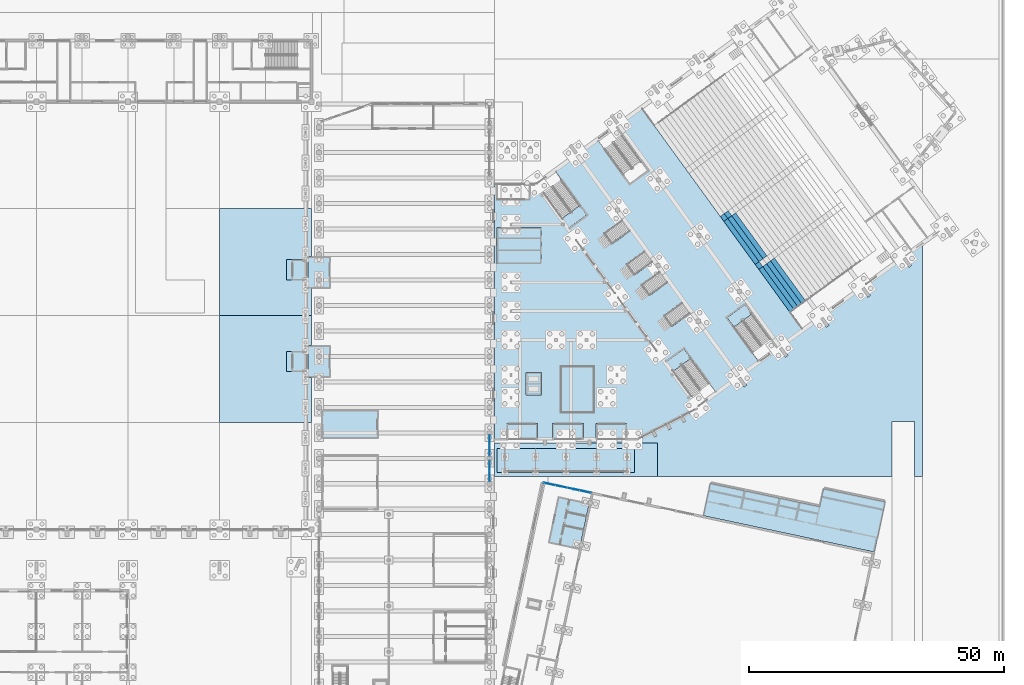
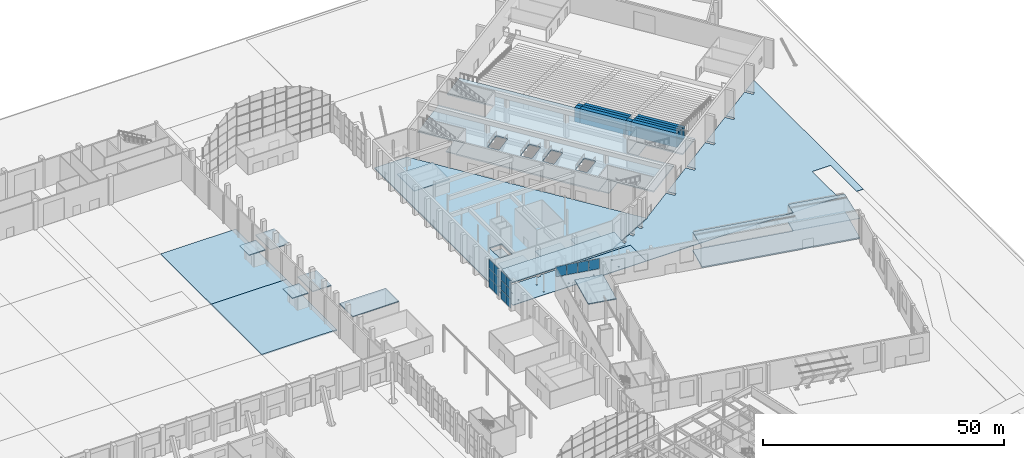
# One storey, part 157 of 239: 33 slabs, 16 plates, 6 elements without a shape of their own.
"""IFC4 building model written with IfcOpenShell, lengths in metres."""

import ifcopenshell
import ifcopenshell.guid

model = None  # the IFC model being written
_history = None  # IfcOwnerHistory: only IFC2X3 demands one
_inside = {}  # id of a spatial element -> (the spatial element, [elements in it])
_under = {}  # id of a project, library or spatial element -> (it, [spatial elements below it])
_declared = {}  # id of a project -> (the project, [libraries it declares])
_typed = {}  # id of a type object -> (the type object, [elements of that type])
_made_of = {}  # id of a material, layer set ... -> (it, [elements and type objects made of it])


def new_model(schema):
    """Start an empty IFC model of exactly this schema.

    Asked for "IFC4X3", IfcOpenShell would pick the latest addendum, in which some entities
    have other attributes; the version numbers below select the first issue.
    IFC2X3 requires an IfcOwnerHistory on every rooted entity: one is made here for all.
    """
    global model, _history
    if schema == "IFC4X3":
        model = ifcopenshell.file(schema_version=(4, 3, 0, 0))
    else:
        model = ifcopenshell.file(schema=schema)
    _inside.clear()
    _under.clear()
    _declared.clear()
    _typed.clear()
    _made_of.clear()
    _history = None
    if model.schema == "IFC2X3":
        org = make("IfcOrganization", Name="unknown")
        user = make(
            "IfcPersonAndOrganization",
            ThePerson=make("IfcPerson", FamilyName="unknown"),
            TheOrganization=org,
        )
        app = make(
            "IfcApplication",
            ApplicationDeveloper=org,
            Version="unknown",
            ApplicationFullName="unknown",
            ApplicationIdentifier="unknown",
        )
        _history = make(
            "IfcOwnerHistory",
            OwningUser=user,
            OwningApplication=app,
            ChangeAction="ADDED",
            CreationDate=0,
        )
    return model


def make(cls, **values):
    """One entity of the class cls with the attributes given. An attribute that is None is left unset."""
    return model.create_entity(
        cls, **{name: value for name, value in values.items() if value is not None}
    )


def rooted(cls, **values):
    """An entity with a GlobalId (a new one), such as an element, a storey or a relation."""
    return make(cls, GlobalId=ifcopenshell.guid.new(), OwnerHistory=_history, **values)


def si_unit(unit_type, name, prefix=None):
    """IfcSIUnit, for example si_unit("LENGTHUNIT", "METRE", prefix="MILLI")."""
    return make("IfcSIUnit", UnitType=unit_type, Prefix=prefix, Name=name)


def assignment(units):
    """IfcUnitAssignment: the units of a project."""
    return None if units is None else make("IfcUnitAssignment", Units=units)


def point(xyz):
    """IfcCartesianPoint."""
    return None if xyz is None else make("IfcCartesianPoint", Coordinates=xyz)


def direction(xyz):
    """IfcDirection."""
    return None if xyz is None else make("IfcDirection", DirectionRatios=xyz)


def frame(location, z_axis=None, x_axis=None):
    """IfcAxis2Placement3D, a coordinate frame: its origin and axes. An axis left out is left unset."""
    return make(
        "IfcAxis2Placement3D",
        Location=point(location),
        Axis=direction(z_axis),
        RefDirection=direction(x_axis),
    )


def frame_2d(location, x_axis=None):
    """IfcAxis2Placement2D, a coordinate frame in the plane: its origin and x axis."""
    return make(
        "IfcAxis2Placement2D", Location=point(location), RefDirection=direction(x_axis)
    )


def origin():
    """The frame at (0, 0, 0) with its axes left unset."""
    return frame((0.0, 0.0, 0.0))


def origin_2d():
    """The frame at (0, 0) in the plane with its x axis left unset."""
    return frame_2d((0.0, 0.0))


def place(relative_to, where):
    """IfcLocalPlacement: puts the frame where relative to a parent placement (None: the world)."""
    return make(
        "IfcLocalPlacement", PlacementRelTo=relative_to, RelativePlacement=where
    )


def context(
    kind, dimensions, precision=None, world=None, true_north=None, identifier=None
):
    """IfcGeometricRepresentationContext, for example the 3D "Model" context."""
    return make(
        "IfcGeometricRepresentationContext",
        ContextIdentifier=identifier,
        ContextType=kind,
        CoordinateSpaceDimension=dimensions,
        Precision=precision,
        WorldCoordinateSystem=world,
        TrueNorth=true_north,
    )


def subcontext(parent, identifier, kind, view, scale=None):
    """IfcGeometricRepresentationSubContext, for example "Body" below "Model"."""
    return make(
        "IfcGeometricRepresentationSubContext",
        ContextIdentifier=identifier,
        ContextType=kind,
        ParentContext=parent,
        TargetScale=scale,
        TargetView=view,
    )


def project(units=None, contexts=None):
    """IfcProject with its units and contexts."""
    return rooted(
        "IfcProject",
        Name="project",
        RepresentationContexts=contexts,
        UnitsInContext=assignment(units),
    )


def spatial(cls, under=None, at=None, **own):
    """A site, building, storey or space (cls), placed at a placement, below another one or the project."""
    s = rooted(cls, ObjectPlacement=at, **own)
    if under is not None:
        _under.setdefault(under.id(), (under, []))[1].append(s)
    return s


def polyline(points):
    """IfcPolyline through the points."""
    return make("IfcPolyline", Points=[point(p) for p in points])


def profile(cls, at=None, kind="AREA", **sizes):
    """A parametric profile (cls). Its sizes go by their IFC names, for example OverallWidth=200.0."""
    return make(cls, ProfileType=kind, Position=at, **sizes)


def rectangle(**sizes):
    """IfcRectangleProfileDef."""
    return profile("IfcRectangleProfileDef", **sizes)


def outline(outer, holes=None, kind="AREA"):
    """IfcArbitraryClosedProfileDef: a profile drawn as a closed curve; with holes, ...WithVoids."""
    if holes is None:
        return make("IfcArbitraryClosedProfileDef", ProfileType=kind, OuterCurve=outer)
    return make(
        "IfcArbitraryProfileDefWithVoids",
        ProfileType=kind,
        OuterCurve=outer,
        InnerCurves=holes,
    )


def extrude(swept, where, along, depth):
    """IfcExtrudedAreaSolid: the profile swept, set in the frame where, extruded along a direction by depth."""
    return make(
        "IfcExtrudedAreaSolid",
        SweptArea=swept,
        Position=where,
        ExtrudedDirection=direction(along),
        Depth=depth,
    )


def shape(context_of_items, identifier, shape_type, items):
    """IfcShapeRepresentation: the items that make up one representation, for example the "Body"."""
    return make(
        "IfcShapeRepresentation",
        ContextOfItems=context_of_items,
        RepresentationIdentifier=identifier,
        RepresentationType=shape_type,
        Items=items,
    )


def material(Name=None, Category=None):
    """IfcMaterial."""
    return make("IfcMaterial", Name=Name, Category=Category)


def layer(
    of_material, thickness, ventilated=None, Name=None, Category=None, Priority=None
):
    """IfcMaterialLayer: one layer of a wall or slab, of a material (None: an air gap)."""
    return make(
        "IfcMaterialLayer",
        Material=of_material,
        LayerThickness=thickness,
        IsVentilated=ventilated,
        Name=Name,
        Category=Category,
        Priority=Priority,
    )


def layer_set(layers, Name=None):
    """IfcMaterialLayerSet."""
    return make("IfcMaterialLayerSet", MaterialLayers=layers, LayerSetName=Name)


def made_of(thing, what):
    """Note that an element or type object is made of a material, layer set ...; save() writes the relation."""
    if what is not None:
        _made_of.setdefault(what.id(), (what, []))[1].append(thing)
    return thing


def type_object(cls, material=None, **own):
    """A type object (cls), such as IfcWallType, which elements share."""
    return made_of(rooted(cls, **own), material)


def element(
    cls,
    number,
    at=None,
    inside=None,
    cuts=None,
    type_object=None,
    material=None,
    context=None,
    identifier="Body",
    shape_type=None,
    held_by="IfcProductDefinitionShape",
    body=None,
    shapes=None,
    **own,
):
    """One element of the class cls, such as IfcWall. Its Tag is "e" and its number.

    at: its placement. inside: the storey or other place that contains it. cuts: it is an
    opening in that element (IfcRelVoidsElement). A single representation is given by context,
    identifier, shape_type and body (its items); several are given by shapes. held_by: the class
    of the entity that holds the representations. save() writes the other relations.
    """
    e = rooted(cls, Tag="e%d" % number, ObjectPlacement=at, **own)
    if body is not None:
        shapes = [shape(context, identifier, shape_type, body)]
    if shapes is not None:
        e.Representation = make(held_by, Representations=shapes)
    if inside is not None:
        _inside.setdefault(inside.id(), (inside, []))[1].append(e)
    if cuts is not None:
        rooted(
            "IfcRelVoidsElement", RelatingBuildingElement=cuts, RelatedOpeningElement=e
        )
    if type_object is not None:
        _typed.setdefault(type_object.id(), (type_object, []))[1].append(e)
    return made_of(e, material)


def aggregate(whole, parts):
    """IfcRelAggregates: a whole, such as a stair, and the parts it consists of."""
    return rooted("IfcRelAggregates", RelatingObject=whole, RelatedObjects=parts)


def save(model, path):
    """Write the relations noted so far, then the file.

    IfcRelAggregates (storeys below a building ...), IfcRelContainedInSpatialStructure (elements
    in a storey), IfcRelDefinesByType, IfcRelAssociatesMaterial and IfcRelDeclares: one each for
    every whole, place, type object, material and project.
    """
    for whole, parts in _under.values():
        aggregate(whole, parts)
    for where, things in _inside.values():
        rooted(
            "IfcRelContainedInSpatialStructure",
            RelatedElements=things,
            RelatingStructure=where,
        )
    for kind, things in _typed.values():
        rooted("IfcRelDefinesByType", RelatedObjects=things, RelatingType=kind)
    for what, things in _made_of.values():
        rooted("IfcRelAssociatesMaterial", RelatedObjects=things, RelatingMaterial=what)
    for by, libraries in _declared.values():
        rooted("IfcRelDeclares", RelatingContext=by, RelatedDefinitions=libraries)
    model.write(path)


model = new_model("IFC4")

# Units and contexts
model_context = context("Model", 3, precision=1e-05, world=origin(), true_north=direction((0.0, 1.0)))
body_context = subcontext(model_context, "Body", "Model", "MODEL_VIEW")
ifc_project = project(units=[si_unit("LENGTHUNIT", "METRE"), si_unit("AREAUNIT", "SQUARE_METRE"), si_unit("VOLUMEUNIT", "CUBIC_METRE"), si_unit("PLANEANGLEUNIT", "RADIAN"), si_unit("MASSUNIT", "GRAM", prefix="KILO")], contexts=[model_context])

# Site, building, storey
site_placement = place(None, origin())
site = spatial("IfcSite", under=ifc_project, at=site_placement, CompositionType="ELEMENT")
building_placement = place(site_placement, origin())
building = spatial("IfcBuilding", under=site, at=building_placement, Name="Okhra Congress Centre", CompositionType="ELEMENT")
storey_placement = place(building_placement, origin())
storey = spatial("IfcBuildingStorey", under=building, at=storey_placement, Name="L00", CompositionType="ELEMENT", Elevation=0.0)

# Curtain wall, plates
ifc_material_1 = material(Name="Aluminium curtain wall, triple glazing", Category="aluminium")
curtain_wall_type_1 = type_object("IfcCurtainWallType", Name="Curtain wall 2100 module", PredefinedType="NOTDEFINED", material=ifc_material_1)
curtain_wall_1_placement = place(storey_placement, origin())
curtain_wall_1 = element("IfcCurtainWall", 1, at=curtain_wall_1_placement, inside=storey, type_object=curtain_wall_type_1, Name="East bay 5 glazing", PredefinedType="NOTDEFINED")
ifc_material_2 = material(Name="Triple glazing unit, low-e coating, argon fill", Category="glass")
ifc_layer_1 = layer(ifc_material_2, 0.028076171875)
ifc_layer_set_1 = layer_set([ifc_layer_1], Name="Curtain wall glazing unit 28")
plate_type = type_object("IfcPlateType", Name="Curtain wall glazing unit 28", PredefinedType="CURTAIN_PANEL", material=ifc_layer_set_1)
plate_1_placement = place(storey_placement, frame((189.0, 142.465087890625, 0.06005859375), z_axis=(0.0, 0.0, 1.0), x_axis=(0.0, 1.0, 0.0)))
plate_1 = element("IfcPlate", 2, at=plate_1_placement, type_object=plate_type, Name="CW4 panel 1.1", PredefinedType="CURTAIN_PANEL", context=body_context, shape_type="SweptSolid", body=[
    extrude(rectangle(XDim=2.010009765625, YDim=0.028076171875, at=origin_2d()), origin(), (0.0, 0.0, 1.0), 2.31005859375),
])
plate_2_placement = place(storey_placement, frame((189.0, 142.465087890625, 2.43017578125), z_axis=(0.0, 0.0, 1.0), x_axis=(0.0, 1.0, 0.0)))
plate_2 = element("IfcPlate", 3, at=plate_2_placement, type_object=plate_type, Name="CW4 panel 1.2", PredefinedType="CURTAIN_PANEL", context=body_context, shape_type="SweptSolid", body=[
    extrude(rectangle(XDim=2.010009765625, YDim=0.028076171875, at=origin_2d()), origin(), (0.0, 0.0, 1.0), 2.340087890625),
])
plate_3_placement = place(storey_placement, frame((189.0, 142.465087890625, 4.830078125), z_axis=(0.0, 0.0, 1.0), x_axis=(0.0, 1.0, 0.0)))
plate_3 = element("IfcPlate", 4, at=plate_3_placement, type_object=plate_type, Name="CW4 panel 1.3", PredefinedType="CURTAIN_PANEL", context=body_context, shape_type="SweptSolid", body=[
    extrude(rectangle(XDim=2.010009765625, YDim=0.028076171875, at=origin_2d()), origin(), (0.0, 0.0, 1.0), 2.31005859375),
])
plate_4_placement = place(storey_placement, frame((189.0, 144.534912109375, 0.06005859375), z_axis=(0.0, 0.0, 1.0), x_axis=(0.0, 1.0, 0.0)))
plate_4 = element("IfcPlate", 5, at=plate_4_placement, type_object=plate_type, Name="CW4 panel 2.1", PredefinedType="CURTAIN_PANEL", context=body_context, shape_type="SweptSolid", body=[
    extrude(rectangle(XDim=2.010009765625, YDim=0.028076171875, at=origin_2d()), origin(), (0.0, 0.0, 1.0), 2.31005859375),
])
plate_5_placement = place(storey_placement, frame((189.0, 144.534912109375, 2.43017578125), z_axis=(0.0, 0.0, 1.0), x_axis=(0.0, 1.0, 0.0)))
plate_5 = element("IfcPlate", 6, at=plate_5_placement, type_object=plate_type, Name="CW4 panel 2.2", PredefinedType="CURTAIN_PANEL", context=body_context, shape_type="SweptSolid", body=[
    extrude(rectangle(XDim=2.010009765625, YDim=0.028076171875, at=origin_2d()), origin(), (0.0, 0.0, 1.0), 2.340087890625),
])
plate_6_placement = place(storey_placement, frame((189.0, 144.534912109375, 4.830078125), z_axis=(0.0, 0.0, 1.0), x_axis=(0.0, 1.0, 0.0)))
plate_6 = element("IfcPlate", 7, at=plate_6_placement, type_object=plate_type, Name="CW4 panel 2.3", PredefinedType="CURTAIN_PANEL", context=body_context, shape_type="SweptSolid", body=[
    extrude(rectangle(XDim=2.010009765625, YDim=0.028076171875, at=origin_2d()), origin(), (0.0, 0.0, 1.0), 2.31005859375),
])
aggregate(curtain_wall_1, [plate_1, plate_2, plate_3, plate_4, plate_5, plate_6])

curtain_wall_2_placement = place(storey_placement, origin())
curtain_wall_2 = element("IfcCurtainWall", 8, at=curtain_wall_2_placement, inside=storey, type_object=curtain_wall_type_1, Name="East bay 6 glazing", PredefinedType="NOTDEFINED")
plate_7_placement = place(storey_placement, frame((189.0, 147.465087890625, 0.06005859375), z_axis=(0.0, 0.0, 1.0), x_axis=(0.0, 1.0, 0.0)))
plate_7 = element("IfcPlate", 9, at=plate_7_placement, type_object=plate_type, Name="CW4 panel 1.1", PredefinedType="CURTAIN_PANEL", context=body_context, shape_type="SweptSolid", body=[
    extrude(rectangle(XDim=2.010009765625, YDim=0.028076171875, at=origin_2d()), origin(), (0.0, 0.0, 1.0), 2.31005859375),
])
plate_8_placement = place(storey_placement, frame((189.0, 147.465087890625, 2.43017578125), z_axis=(0.0, 0.0, 1.0), x_axis=(0.0, 1.0, 0.0)))
plate_8 = element("IfcPlate", 10, at=plate_8_placement, type_object=plate_type, Name="CW4 panel 1.2", PredefinedType="CURTAIN_PANEL", context=body_context, shape_type="SweptSolid", body=[
    extrude(rectangle(XDim=2.010009765625, YDim=0.028076171875, at=origin_2d()), origin(), (0.0, 0.0, 1.0), 2.340087890625),
])
plate_9_placement = place(storey_placement, frame((189.0, 147.465087890625, 4.830078125), z_axis=(0.0, 0.0, 1.0), x_axis=(0.0, 1.0, 0.0)))
plate_9 = element("IfcPlate", 11, at=plate_9_placement, type_object=plate_type, Name="CW4 panel 1.3", PredefinedType="CURTAIN_PANEL", context=body_context, shape_type="SweptSolid", body=[
    extrude(rectangle(XDim=2.010009765625, YDim=0.028076171875, at=origin_2d()), origin(), (0.0, 0.0, 1.0), 2.31005859375),
])
plate_10_placement = place(storey_placement, frame((189.0, 149.534912109375, 0.06005859375), z_axis=(0.0, 0.0, 1.0), x_axis=(0.0, 1.0, 0.0)))
plate_10 = element("IfcPlate", 12, at=plate_10_placement, type_object=plate_type, Name="CW4 panel 2.1", PredefinedType="CURTAIN_PANEL", context=body_context, shape_type="SweptSolid", body=[
    extrude(rectangle(XDim=2.010009765625, YDim=0.028076171875, at=origin_2d()), origin(), (0.0, 0.0, 1.0), 2.31005859375),
])
plate_11_placement = place(storey_placement, frame((189.0, 149.534912109375, 2.43017578125), z_axis=(0.0, 0.0, 1.0), x_axis=(0.0, 1.0, 0.0)))
plate_11 = element("IfcPlate", 13, at=plate_11_placement, type_object=plate_type, Name="CW4 panel 2.2", PredefinedType="CURTAIN_PANEL", context=body_context, shape_type="SweptSolid", body=[
    extrude(rectangle(XDim=2.010009765625, YDim=0.028076171875, at=origin_2d()), origin(), (0.0, 0.0, 1.0), 2.340087890625),
])
plate_12_placement = place(storey_placement, frame((189.0, 149.534912109375, 4.830078125), z_axis=(0.0, 0.0, 1.0), x_axis=(0.0, 1.0, 0.0)))
plate_12 = element("IfcPlate", 14, at=plate_12_placement, type_object=plate_type, Name="CW4 panel 2.3", PredefinedType="CURTAIN_PANEL", context=body_context, shape_type="SweptSolid", body=[
    extrude(rectangle(XDim=2.010009765625, YDim=0.028076171875, at=origin_2d()), origin(), (0.0, 0.0, 1.0), 2.31005859375),
])
aggregate(curtain_wall_2, [plate_7, plate_8, plate_9, plate_10, plate_11, plate_12])

curtain_wall_type_2 = type_object("IfcCurtainWallType", Name="Curtain wall 2400 module", PredefinedType="NOTDEFINED", material=ifc_material_1)
curtain_wall_3_placement = place(storey_placement, origin())
curtain_wall_3 = element("IfcCurtainWall", 15, at=curtain_wall_3_placement, inside=storey, type_object=curtain_wall_type_2, Name="Foyer north glazing above the doors", PredefinedType="NOTDEFINED")
plate_13_placement = place(storey_placement, frame((200.7939453125, 140.937744140625, 4.56005859375), z_axis=(0.0, 0.0, 1.0), x_axis=(0.978147600734, -0.207911690818, 0.0)))
plate_13 = element("IfcPlate", 16, at=plate_13_placement, type_object=plate_type, Name="CW6 panel 1.1", PredefinedType="CURTAIN_PANEL", context=body_context, shape_type="SweptSolid", body=[
    extrude(rectangle(XDim=2.31005859375, YDim=0.028076171875, at=origin_2d()), origin(), (0.0, 0.0, 1.0), 2.580078125),
])
plate_14_placement = place(storey_placement, frame((203.126953125, 140.44189453125, 4.56005859375), z_axis=(0.0, 0.0, 1.0), x_axis=(0.978147600734, -0.207911690818, 0.0)))
plate_14 = element("IfcPlate", 17, at=plate_14_placement, type_object=plate_type, Name="CW6 panel 2.1", PredefinedType="CURTAIN_PANEL", context=body_context, shape_type="SweptSolid", body=[
    extrude(rectangle(XDim=2.340087890625, YDim=0.028076171875, at=origin_2d()), origin(), (0.0, 0.0, 1.0), 2.580078125),
])
plate_15_placement = place(storey_placement, frame((205.474365234375, 139.94287109375, 4.56005859375), z_axis=(0.0, 0.0, 1.0), x_axis=(0.978147600734, -0.207911690818, 0.0)))
plate_15 = element("IfcPlate", 18, at=plate_15_placement, type_object=plate_type, Name="CW6 panel 3.1", PredefinedType="CURTAIN_PANEL", context=body_context, shape_type="SweptSolid", body=[
    extrude(rectangle(XDim=2.340087890625, YDim=0.028076171875, at=origin_2d()), origin(), (0.0, 0.0, 1.0), 2.580078125),
])
plate_16_placement = place(storey_placement, frame((207.807373046875, 139.447021484375, 4.56005859375), z_axis=(0.0, 0.0, 1.0), x_axis=(0.978147600734, -0.207911690818, 0.0)))
plate_16 = element("IfcPlate", 19, at=plate_16_placement, type_object=plate_type, Name="CW6 panel 4.1", PredefinedType="CURTAIN_PANEL", context=body_context, shape_type="SweptSolid", body=[
    extrude(rectangle(XDim=2.31005859375, YDim=0.028076171875, at=origin_2d()), origin(), (0.0, 0.0, 1.0), 2.580078125),
])
aggregate(curtain_wall_3, [plate_13, plate_14, plate_15, plate_16])

# Slabs
ifc_material_3 = material(Name="Insulated metal roof panel (mineral wool core), standing seam")
ifc_layer_2 = layer(ifc_material_3, 0.14990234375)
ifc_layer_set_2 = layer_set([ifc_layer_2], Name="Insulated roof panel 150")
slab_type_1 = type_object("IfcSlabType", Name="Insulated roof panel 150", PredefinedType="ROOF", material=ifc_layer_set_2)
slab_1_placement = place(storey_placement, frame((190.5, 143.199951171875, 5.10009765625), z_axis=(0.0, -0.105787141313, 0.99438879757), x_axis=(1.0, 0.0, 0.0)))
element("IfcSlab", 20, at=slab_1_placement, inside=storey, type_object=slab_type_1, Name="Drop-off canopy roof panel", PredefinedType="ROOF", context=body_context, shape_type="SweptSolid", body=[
    extrude(outline(polyline([(0.0, 0.0), (27.0, 0.0), (27.0, 4.72647236509526), (0.0, 4.72647236509526), (0.0, 0.0)])), origin(), (0.0, 0.0, -1.0), 0.14990234375),
])
slab_2_placement = place(storey_placement, frame((230.94775390625, 134.73291015625, 4.89990234375), z_axis=(0.011606565966, 0.054592393295, 0.998441264282), x_axis=(0.978148140413, -0.207909151793, -2.68692e-06)))
element("IfcSlab", 21, at=slab_2_placement, inside=storey, type_object=slab_type_1, Name="Catering annex roof panel", PredefinedType="ROOF", context=body_context, shape_type="SweptSolid", body=[
    extrude(outline(polyline([(0.0, 0.0), (34.40014353175373, 1.7763568394002505e-15), (34.4001470823461, 10.11562554741022), (22.00002540099979, 10.115654170014247), (22.000183464778715, 6.510152736823353), (0.00016161437129575022, 6.510124114219326), (0.0, 0.0)])), origin(), (0.0, 0.0, -1.0), 0.14990234375),
])
ifc_material_4 = material(Name="Concrete C30/37", Category="concrete")
ifc_layer_3 = layer(ifc_material_4, 0.14990234375)
ifc_layer_set_3 = layer_set([ifc_layer_3], Name="Paving slab 150 C30/37")
slab_type_2 = type_object("IfcSlabType", Name="Paving slab 150 C30/37", PredefinedType="BASESLAB", material=ifc_layer_set_3)
slab_3_placement = place(storey_placement, frame((0.0, 0.0, -0.14990234375)))
element("IfcSlab", 22, at=slab_3_placement, inside=storey, type_object=slab_type_2, Name="Drop-off Lay-by paving", PredefinedType="BASESLAB", context=body_context, shape_type="SweptSolid", body=[
    extrude(outline(polyline([(199.590087890625, 148.570068359375), (199.590087890625, 149.0), (190.010009765625, 149.0), (190.010009765625, 142.39990234375), (222.0, 142.39990234375), (222.0, 149.0), (208.9599609375, 149.0), (208.9599609375, 148.570068359375), (208.340087890625, 148.570068359375), (208.340087890625, 149.0), (200.2099609375, 149.0), (200.2099609375, 148.570068359375), (199.590087890625, 148.570068359375)]), holes=[polyline([(216.132080078125, 143.5322265625), (215.867919921875, 143.5322265625), (215.867919921875, 143.267822265625), (216.132080078125, 143.267822265625), (216.132080078125, 143.5322265625)]), polyline([(216.132080078125, 146.432373046875), (215.867919921875, 146.432373046875), (215.867919921875, 146.167724609375), (216.132080078125, 146.167724609375), (216.132080078125, 146.432373046875)]), polyline([(210.132080078125, 143.5322265625), (209.867919921875, 143.5322265625), (209.867919921875, 143.267822265625), (210.132080078125, 143.267822265625), (210.132080078125, 143.5322265625)]), polyline([(210.132080078125, 146.432373046875), (209.867919921875, 146.432373046875), (209.867919921875, 146.167724609375), (210.132080078125, 146.167724609375), (210.132080078125, 146.432373046875)]), polyline([(204.132080078125, 143.5322265625), (203.867919921875, 143.5322265625), (203.867919921875, 143.267822265625), (204.132080078125, 143.267822265625), (204.132080078125, 143.5322265625)]), polyline([(204.132080078125, 146.432373046875), (203.867919921875, 146.432373046875), (203.867919921875, 146.167724609375), (204.132080078125, 146.167724609375), (204.132080078125, 146.432373046875)]), polyline([(198.132080078125, 143.5322265625), (197.867919921875, 143.5322265625), (197.867919921875, 143.267822265625), (198.132080078125, 143.267822265625), (198.132080078125, 143.5322265625)]), polyline([(198.132080078125, 146.432373046875), (197.867919921875, 146.432373046875), (197.867919921875, 146.167724609375), (198.132080078125, 146.167724609375), (198.132080078125, 146.432373046875)]), polyline([(192.132080078125, 143.5322265625), (191.867919921875, 143.5322265625), (191.867919921875, 143.267822265625), (192.132080078125, 143.267822265625), (192.132080078125, 143.5322265625)]), polyline([(192.132080078125, 146.432373046875), (191.867919921875, 146.432373046875), (191.867919921875, 146.167724609375), (192.132080078125, 146.167724609375), (192.132080078125, 146.432373046875)])]), origin(), (0.0, 0.0, 1.0), 0.14990234375),
])
slab_4_placement = place(storey_placement, frame((0.0, 0.0, -0.14990234375)))
element("IfcSlab", 23, at=slab_4_placement, inside=storey, type_object=slab_type_2, Name="Entrance Forecourt 1 paving", PredefinedType="BASESLAB", context=body_context, shape_type="SweptSolid", body=[
    extrude(outline(polyline([(208.9599609375, 149.570068359375), (208.9599609375, 149.0), (222.0, 149.0), (222.0, 142.39990234375), (268.0, 142.39990234375), (268.0, 153.199951171875), (272.39990234375, 153.199951171875), (272.39990234375, 142.39990234375), (274.0, 142.39990234375), (274.0, 187.89306640625), (270.6650390625, 185.469970703125), (271.840576171875, 183.85205078125), (271.3388671875, 183.487548828125), (270.163330078125, 185.105712890625), (262.57470703125, 179.59228515625), (263.75048828125, 177.97412109375), (263.248779296875, 177.609619140625), (262.0732421875, 179.227783203125), (254.484619140625, 173.71435546875), (255.66015625, 172.09619140625), (255.15869140625, 171.731689453125), (253.98291015625, 173.349853515625), (246.39453125, 167.83642578125), (247.570068359375, 166.218505859375), (247.068359375, 165.85400390625), (245.892822265625, 167.471923828125), (238.30419921875, 161.95849609375), (239.47998046875, 160.340576171875), (238.978271484375, 159.97607421875), (237.802734375, 161.59423828125), (229.80908203125, 155.784423828125), (229.877685546875, 155.6513671875), (227.068359375, 154.208251953125), (227.525390625, 153.31884765625), (226.973876953125, 153.035400390625), (226.516845703125, 153.925048828125), (224.24658203125, 152.7587890625), (224.70361328125, 151.869384765625), (224.152099609375, 151.586181640625), (223.6953125, 152.4755859375), (221.425048828125, 151.309326171875), (221.8818359375, 150.419921875), (221.330322265625, 150.13671875), (220.87353515625, 151.026123046875), (218.038818359375, 149.570068359375), (208.9599609375, 149.570068359375)])), origin(), (0.0, 0.0, 1.0), 0.14990234375),
])
ifc_material_5 = material(Name="Precast concrete C40/50", Category="concrete")
slab_type_3 = type_object("IfcSlabType", Name="Precast RC stalls aisle step unit C40/50", PredefinedType="FLOOR", material=ifc_material_5)
slab_5_placement = place(storey_placement, origin())
element("IfcSlab", 24, at=slab_5_placement, inside=storey, type_object=slab_type_3, Name="Stalls aisle step unit 21.4", PredefinedType="FLOOR", context=body_context, shape_type="SweptSolid", body=[
    extrude(outline(polyline([(235.7724609375, 193.072509765625), (236.541015625, 193.631103515625), (235.835693359375, 194.601806640625), (235.067138671875, 194.04345703125), (235.7724609375, 193.072509765625)])), origin(), (0.0, 0.0, 1.0), 3.436279296875),
])
slab_6_placement = place(storey_placement, origin())
element("IfcSlab", 25, at=slab_6_placement, inside=storey, type_object=slab_type_3, Name="Stalls aisle step unit 22.2", PredefinedType="FLOOR", context=body_context, shape_type="SweptSolid", body=[
    extrude(outline(polyline([(241.8515625, 183.089111328125), (242.6201171875, 183.6474609375), (241.914794921875, 184.618408203125), (241.146240234375, 184.06005859375), (241.8515625, 183.089111328125)])), origin(), (0.0, 0.0, 1.0), 3.60009765625),
])
slab_7_placement = place(storey_placement, origin())
element("IfcSlab", 26, at=slab_7_placement, inside=storey, type_object=slab_type_3, Name="Stalls aisle step unit 22.4", PredefinedType="FLOOR", context=body_context, shape_type="SweptSolid", body=[
    extrude(outline(polyline([(235.00390625, 192.51416015625), (235.7724609375, 193.072509765625), (235.067138671875, 194.04345703125), (234.29833984375, 193.485107421875), (235.00390625, 192.51416015625)])), origin(), (0.0, 0.0, 1.0), 3.60009765625),
])
ifc_material_6 = material(Name="Precast concrete C35/45", Category="concrete")
slab_type_4 = type_object("IfcSlabType", Name="Precast RC stalls seat-row step unit C35/45", PredefinedType="FLOOR", material=ifc_material_6)
slab_8_placement = place(storey_placement, origin())
element("IfcSlab", 27, at=slab_8_placement, inside=storey, type_object=slab_type_4, Name="Stalls seat-row step unit 19.1", PredefinedType="FLOOR", context=body_context, shape_type="SweptSolid", body=[
    extrude(outline(polyline([(250.299560546875, 176.31005859375), (251.068115234375, 176.86865234375), (244.92578125, 185.32275390625), (244.1572265625, 184.764404296875), (250.299560546875, 176.31005859375)])), origin(), (0.0, 0.0, 1.0), 3.109130859375),
])
slab_9_placement = place(storey_placement, origin())
element("IfcSlab", 28, at=slab_9_placement, inside=storey, type_object=slab_type_4, Name="Stalls seat-row step unit 20.1", PredefinedType="FLOOR", context=body_context, shape_type="SweptSolid", body=[
    extrude(outline(polyline([(249.531005859375, 175.751708984375), (250.299560546875, 176.31005859375), (244.1572265625, 184.764404296875), (243.388671875, 184.2060546875), (249.531005859375, 175.751708984375)])), origin(), (0.0, 0.0, 1.0), 3.272705078125),
])
slab_10_placement = place(storey_placement, origin())
element("IfcSlab", 29, at=slab_10_placement, inside=storey, type_object=slab_type_4, Name="Stalls seat-row step unit 20.3", PredefinedType="FLOOR", context=body_context, shape_type="SweptSolid", body=[
    extrude(outline(polyline([(242.683349609375, 185.1767578125), (243.451904296875, 185.735107421875), (237.3095703125, 194.189453125), (236.541015625, 193.631103515625), (242.683349609375, 185.1767578125)])), origin(), (0.0, 0.0, 1.0), 3.272705078125),
])
slab_11_placement = place(storey_placement, origin())
element("IfcSlab", 30, at=slab_11_placement, inside=storey, type_object=slab_type_4, Name="Stalls seat-row step unit 21.1", PredefinedType="FLOOR", context=body_context, shape_type="SweptSolid", body=[
    extrude(outline(polyline([(248.762451171875, 175.193359375), (249.531005859375, 175.751708984375), (243.388671875, 184.2060546875), (242.6201171875, 183.6474609375), (248.762451171875, 175.193359375)])), origin(), (0.0, 0.0, 1.0), 3.436279296875),
])
slab_12_placement = place(storey_placement, origin())
element("IfcSlab", 31, at=slab_12_placement, inside=storey, type_object=slab_type_4, Name="Stalls seat-row step unit 21.3", PredefinedType="FLOOR", context=body_context, shape_type="SweptSolid", body=[
    extrude(outline(polyline([(241.914794921875, 184.618408203125), (242.683349609375, 185.1767578125), (236.541015625, 193.631103515625), (235.7724609375, 193.072509765625), (241.914794921875, 184.618408203125)])), origin(), (0.0, 0.0, 1.0), 3.436279296875),
])
slab_13_placement = place(storey_placement, origin())
element("IfcSlab", 32, at=slab_13_placement, inside=storey, type_object=slab_type_4, Name="Stalls seat-row step unit 22.1", PredefinedType="FLOOR", context=body_context, shape_type="SweptSolid", body=[
    extrude(outline(polyline([(247.993896484375, 174.635009765625), (248.762451171875, 175.193359375), (242.6201171875, 183.6474609375), (241.8515625, 183.089111328125), (247.993896484375, 174.635009765625)])), origin(), (0.0, 0.0, 1.0), 3.60009765625),
])
slab_14_placement = place(storey_placement, origin())
element("IfcSlab", 33, at=slab_14_placement, inside=storey, type_object=slab_type_4, Name="Stalls seat-row step unit 22.3", PredefinedType="FLOOR", context=body_context, shape_type="SweptSolid", body=[
    extrude(outline(polyline([(241.146240234375, 184.06005859375), (241.914794921875, 184.618408203125), (235.7724609375, 193.072509765625), (235.00390625, 192.51416015625), (241.146240234375, 184.06005859375)])), origin(), (0.0, 0.0, 1.0), 3.60009765625),
])
ifc_material_7 = material(Name="Concrete C25/30", Category="concrete")
ifc_layer_4 = layer(ifc_material_7, 0.300048828125)
ifc_layer_set_4 = layer_set([ifc_layer_4], Name="RC ground slab 300 C25/30")
slab_type_5 = type_object("IfcSlabType", Name="RC ground slab 300 C25/30", PredefinedType="BASESLAB", material=ifc_layer_set_4)
slab_15_placement = place(storey_placement, frame((0.0, 0.0, -0.300048828125)))
element("IfcSlab", 34, at=slab_15_placement, inside=storey, type_object=slab_type_5, Name="EH.SLAB.L00.H29", PredefinedType="BASESLAB", context=body_context, shape_type="SweptSolid", body=[
    extrude(outline(polyline([(136.0, 153.0), (154.0, 153.0), (154.0, 174.0), (136.0, 174.0), (136.0, 153.0)])), origin(), (0.0, 0.0, 1.0), 0.300048828125),
])
slab_16_placement = place(storey_placement, frame((0.0, 0.0, -0.300048828125)))
element("IfcSlab", 35, at=slab_16_placement, inside=storey, type_object=slab_type_5, Name="EH.SLAB.L00.H30", PredefinedType="BASESLAB", context=body_context, shape_type="SweptSolid", body=[
    extrude(outline(polyline([(136.0, 174.0), (154.0, 174.0), (154.0, 195.0), (136.0, 195.0), (136.0, 174.0)])), origin(), (0.0, 0.0, 1.0), 0.300048828125),
])
slab_17_placement = place(storey_placement, frame((0.0, 0.0, -0.300048828125)))
element("IfcSlab", 36, at=slab_17_placement, inside=storey, type_object=slab_type_5, Name="Foyer ground slab", PredefinedType="BASESLAB", context=body_context, shape_type="SweptSolid", body=[
    extrude(outline(polyline([(190.0, 149.72998046875), (218.0, 149.72998046875), (229.795654296875, 155.7890625), (197.8271484375, 199.7900390625), (190.0, 199.7900390625), (190.0, 149.72998046875)]), holes=[polyline([(196.14990234375, 158.449951171875), (199.14990234375, 158.449951171875), (199.14990234375, 162.800048828125), (196.14990234375, 162.800048828125), (196.14990234375, 158.449951171875)])]), origin(), (0.0, 0.0, 1.0), 0.300048828125),
])
slab_18_placement = place(storey_placement, frame((0.0, 0.0, -0.300048828125)))
element("IfcSlab", 37, at=slab_18_placement, inside=storey, type_object=slab_type_5, Name="Catering annex ground slab", PredefinedType="BASESLAB", context=body_context, shape_type="SweptSolid", body=[
    extrude(outline(polyline([(230.94775390625, 134.73291015625), (264.59619140625, 127.580810546875), (266.696044921875, 137.4599609375), (254.56689453125, 140.0380859375), (253.818603515625, 136.516845703125), (232.29931640625, 141.0908203125), (230.94775390625, 134.73291015625)])), origin(), (0.0, 0.0, 1.0), 0.300048828125),
])
slab_19_placement = place(storey_placement, frame((0.0, 0.0, -1.5)))
element("IfcSlab", 38, at=slab_19_placement, inside=storey, type_object=slab_type_5, Name="Lift pit slab", PredefinedType="BASESLAB", context=body_context, shape_type="SweptSolid", body=[
    extrude(outline(polyline([(196.14990234375, 158.449951171875), (199.14990234375, 158.449951171875), (199.14990234375, 162.800048828125), (196.14990234375, 162.800048828125), (196.14990234375, 158.449951171875)])), origin(), (0.0, 0.0, 1.0), 0.300048828125),
])
ifc_material_8 = material(Name="Concrete C35/45", Category="concrete")
ifc_layer_5 = layer(ifc_material_8, 0.35009765625)
ifc_layer_set_5 = layer_set([ifc_layer_5], Name="RC rear stalls tier slab 350 C35/45")
slab_type_6 = type_object("IfcSlabType", Name="RC rear stalls tier slab 350 C35/45", PredefinedType="USERDEFINED", material=ifc_layer_set_5)
slab_20_placement = place(storey_placement, frame((0.0, 0.0, 3.25)))
element("IfcSlab", 39, at=slab_20_placement, inside=storey, type_object=slab_type_6, Name="Stalls rear promenade slab", ObjectType="SEATING TIER", PredefinedType="USERDEFINED", context=body_context, shape_type="SweptSolid", body=[
    extrude(outline(polyline([(241.7744140625, 165.1103515625), (235.585205078125, 173.629150390625), (239.15283203125, 176.221435546875), (245.34228515625, 167.702392578125), (250.374267578125, 171.3583984375), (218.927978515625, 214.640869140625), (213.895751953125, 210.98486328125), (220.085205078125, 202.4658203125), (216.517333984375, 199.873779296875), (210.328125, 208.392578125), (201.92236328125, 202.28564453125), (208.11181640625, 193.7666015625), (204.568115234375, 191.192138671875), (223.635986328125, 164.94775390625), (227.179443359375, 167.522216796875), (233.368896484375, 159.003173828125), (241.7744140625, 165.1103515625)]), holes=[polyline([(226.8271484375, 176.5986328125), (223.218994140625, 173.97705078125), (224.782470703125, 171.824951171875), (228.390625, 174.446533203125), (226.8271484375, 176.5986328125)]), polyline([(222.4189453125, 182.666259765625), (218.810546875, 180.044677734375), (220.3740234375, 177.892578125), (223.982421875, 180.51416015625), (222.4189453125, 182.666259765625)]), polyline([(219.47998046875, 186.711181640625), (215.87158203125, 184.08984375), (217.435302734375, 181.937744140625), (221.04345703125, 184.559326171875), (219.47998046875, 186.711181640625)]), polyline([(215.071533203125, 192.77880859375), (211.46337890625, 190.157470703125), (213.02685546875, 188.00537109375), (216.635009765625, 190.626953125), (215.071533203125, 192.77880859375)])]), origin(), (0.0, 0.0, 1.0), 0.35009765625),
])
ifc_layer_6 = layer(ifc_material_4, 0.199951171875)
ifc_layer_set_6 = layer_set([ifc_layer_6], Name="RC roof slab 200 C30/37")
slab_type_7 = type_object("IfcSlabType", Name="RC roof slab 200 C30/37", PredefinedType="ROOF", material=ifc_layer_set_6)
slab_21_placement = place(storey_placement, frame((0.0, 0.0, 3.39990234375)))
element("IfcSlab", 40, at=slab_21_placement, inside=storey, type_object=slab_type_7, Name="EH.SLAB.L00.VR1", PredefinedType="ROOF", context=body_context, shape_type="SweptSolid", body=[
    extrude(outline(polyline([(149.10009765625, 163.0), (153.0, 163.0), (153.0, 167.0), (149.10009765625, 167.0), (149.10009765625, 163.0)])), origin(), (0.0, 0.0, 1.0), 0.2001953125),
])
slab_22_placement = place(storey_placement, frame((0.0, 0.0, 3.39990234375)))
element("IfcSlab", 41, at=slab_22_placement, inside=storey, type_object=slab_type_7, Name="EH.SLAB.L00.VR2", PredefinedType="ROOF", context=body_context, shape_type="SweptSolid", body=[
    extrude(outline(polyline([(149.10009765625, 181.0), (153.0, 181.0), (153.0, 185.0), (149.10009765625, 185.0), (149.10009765625, 181.0)])), origin(), (0.0, 0.0, 1.0), 0.2001953125),
])
slab_23_placement = place(storey_placement, frame((0.0, 0.0, 4.300048828125)))
element("IfcSlab", 42, at=slab_23_placement, inside=storey, type_object=slab_type_7, Name="Exhibition hall air lock 1 roof slab", PredefinedType="ROOF", context=body_context, shape_type="SweptSolid", body=[
    extrude(outline(polyline([(153.300048828125, 161.89990234375), (157.800048828125, 161.89990234375), (157.800048828125, 168.10009765625), (153.300048828125, 168.10009765625), (153.300048828125, 161.89990234375)])), origin(), (0.0, 0.0, 1.0), 0.199951171875),
])
slab_24_placement = place(storey_placement, frame((0.0, 0.0, 4.300048828125)))
element("IfcSlab", 43, at=slab_24_placement, inside=storey, type_object=slab_type_7, Name="Exhibition hall air lock 2 roof slab", PredefinedType="ROOF", context=body_context, shape_type="SweptSolid", body=[
    extrude(outline(polyline([(153.300048828125, 179.39990234375), (157.800048828125, 179.39990234375), (157.800048828125, 185.60009765625), (153.300048828125, 185.60009765625), (153.300048828125, 179.39990234375)])), origin(), (0.0, 0.0, 1.0), 0.199951171875),
])
slab_25_placement = place(storey_placement, frame((0.0, 0.0, 4.300048828125)))
element("IfcSlab", 44, at=slab_25_placement, inside=storey, type_object=slab_type_7, Name="Information room roof slab", PredefinedType="ROOF", context=body_context, shape_type="SweptSolid", body=[
    extrude(outline(polyline([(156.0, 149.89990234375), (167.10009765625, 149.89990234375), (167.10009765625, 155.39990234375), (156.0, 155.39990234375), (156.0, 149.89990234375)])), origin(), (0.0, 0.0, 1.0), 0.199951171875),
])
slab_26_placement = place(storey_placement, frame((0.0, 0.0, 4.300048828125)))
element("IfcSlab", 45, at=slab_26_placement, inside=storey, type_object=slab_type_7, Name="Toilet block roof slab", PredefinedType="ROOF", context=body_context, shape_type="SweptSolid", body=[
    extrude(outline(polyline([(200.581787109375, 129.430419921875), (206.646240234375, 128.141357421875), (208.55908203125, 137.140380859375), (202.49462890625, 138.429443359375), (200.581787109375, 129.430419921875)])), origin(), (0.0, 0.0, 1.0), 0.199951171875),
])
slab_27_placement = place(storey_placement, frame((0.0, 0.0, 3.199951171875)))
element("IfcSlab", 46, at=slab_27_placement, inside=storey, type_object=slab_type_7, Name="Vestibule 1 roof slab", PredefinedType="ROOF", context=body_context, shape_type="SweptSolid", body=[
    extrude(outline(polyline([(192.39990234375, 149.72998046875), (198.39990234375, 149.72998046875), (198.39990234375, 152.830078125), (192.39990234375, 152.830078125), (192.39990234375, 149.72998046875)])), origin(), (0.0, 0.0, 1.0), 0.199951171875),
])
slab_28_placement = place(storey_placement, frame((0.0, 0.0, 3.199951171875)))
element("IfcSlab", 47, at=slab_28_placement, inside=storey, type_object=slab_type_7, Name="Vestibule 2 roof slab", PredefinedType="ROOF", context=body_context, shape_type="SweptSolid", body=[
    extrude(outline(polyline([(201.39990234375, 149.72998046875), (207.39990234375, 149.72998046875), (207.39990234375, 152.830078125), (201.39990234375, 152.830078125), (201.39990234375, 149.72998046875)])), origin(), (0.0, 0.0, 1.0), 0.199951171875),
])
slab_29_placement = place(storey_placement, frame((0.0, 0.0, 3.199951171875)))
element("IfcSlab", 48, at=slab_29_placement, inside=storey, type_object=slab_type_7, Name="Vestibule 3 roof slab", PredefinedType="ROOF", context=body_context, shape_type="SweptSolid", body=[
    extrude(outline(polyline([(209.89990234375, 149.72998046875), (215.89990234375, 149.72998046875), (215.89990234375, 152.830078125), (209.89990234375, 152.830078125), (209.89990234375, 149.72998046875)])), origin(), (0.0, 0.0, 1.0), 0.199951171875),
])
slab_30_placement = place(storey_placement, frame((0.0, 0.0, 3.199951171875)))
element("IfcSlab", 49, at=slab_30_placement, inside=storey, type_object=slab_type_7, Name="WC block roof slab", PredefinedType="ROOF", context=body_context, shape_type="SweptSolid", body=[
    extrude(outline(polyline([(190.5, 184.199951171875), (199.10009765625, 184.199951171875), (199.10009765625, 191.300048828125), (190.5, 191.300048828125), (190.5, 184.199951171875)])), origin(), (0.0, 0.0, 1.0), 0.199951171875),
])

# Stair, slab
stair_type = type_object("IfcStairType", Name="Escape stair 2100 wide, 44 risers of 163.6", PredefinedType="HALF_TURN_STAIR", material=ifc_material_4)
stair_1_placement = place(storey_placement, origin())
stair_1 = element("IfcStair", 50, at=stair_1_placement, inside=storey, type_object=stair_type, Name="L00 Escape stair 1", PredefinedType="HALF_TURN_STAIR")
ifc_layer_7 = layer(ifc_material_4, 0.199951171875)
ifc_layer_set_7 = layer_set([ifc_layer_7], Name="RC stair landing 200 C30/37")
slab_type_8 = type_object("IfcSlabType", Name="RC stair landing 200 C30/37", PredefinedType="LANDING", material=ifc_layer_set_7)
slab_31_placement = place(storey_placement, frame((0.0, 0.0, 3.39990234375)))
slab_31 = element("IfcSlab", 51, at=slab_31_placement, type_object=slab_type_8, Name="C1 landing 1", PredefinedType="LANDING", context=body_context, shape_type="SweptSolid", body=[
    extrude(outline(polyline([(228.524658203125, 165.619384765625), (227.1728515625, 167.480224609375), (223.653564453125, 164.92333984375), (225.005615234375, 163.062744140625), (228.524658203125, 165.619384765625)])), origin(), (0.0, 0.0, 1.0), 0.2001953125),
])
aggregate(stair_1, [slab_31])

stair_2_placement = place(storey_placement, origin())
stair_2 = element("IfcStair", 52, at=stair_2_placement, inside=storey, type_object=stair_type, Name="L00 Escape stair 2", PredefinedType="HALF_TURN_STAIR")
slab_32_placement = place(storey_placement, frame((0.0, 0.0, 3.39990234375)))
slab_32 = element("IfcSlab", 53, at=slab_32_placement, type_object=slab_type_8, Name="C2 landing 1", PredefinedType="LANDING", context=body_context, shape_type="SweptSolid", body=[
    extrude(outline(polyline([(240.498291015625, 174.318603515625), (239.146240234375, 176.179443359375), (235.626953125, 173.62255859375), (236.97900390625, 171.761962890625), (240.498291015625, 174.318603515625)])), origin(), (0.0, 0.0, 1.0), 0.2001953125),
])
aggregate(stair_2, [slab_32])

stair_3_placement = place(storey_placement, origin())
stair_3 = element("IfcStair", 54, at=stair_3_placement, inside=storey, type_object=stair_type, Name="L00 Escape stair 3", PredefinedType="HALF_TURN_STAIR")
slab_33_placement = place(storey_placement, frame((0.0, 0.0, 3.39990234375)))
slab_33 = element("IfcSlab", 55, at=slab_33_placement, type_object=slab_type_8, Name="C3 landing 1", PredefinedType="LANDING", context=body_context, shape_type="SweptSolid", body=[
    extrude(outline(polyline([(203.19873046875, 193.0771484375), (204.550537109375, 191.21630859375), (208.06982421875, 193.773193359375), (206.718017578125, 195.634033203125), (203.19873046875, 193.0771484375)])), origin(), (0.0, 0.0, 1.0), 0.2001953125),
])
aggregate(stair_3, [slab_33])

save(model, "model.ifc")
